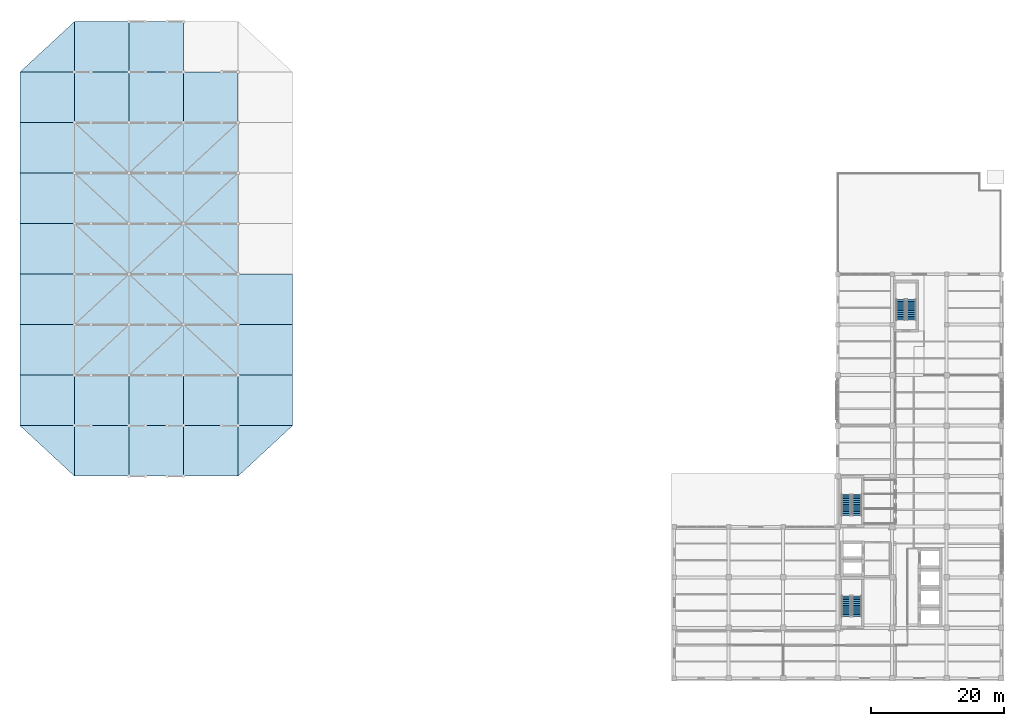
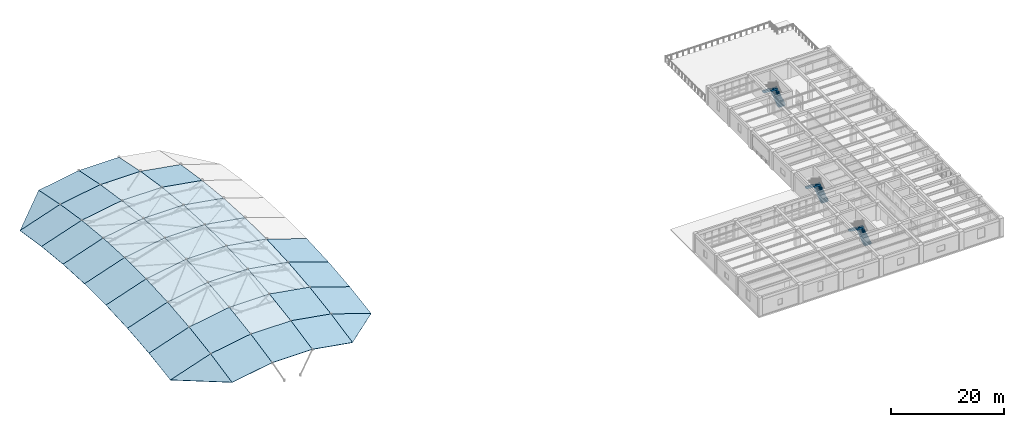
# One storey, part 14 of 22: 39 roofs, 6 stair flights, 3 elements without a shape of their own.
"""IFC4 building model written with IfcOpenShell, lengths in metres."""

from ifc_helpers import new_model, si_unit, direction, frame, origin, place, context, subcontext, project, spatial, polyline, outline, extrude, material, layer, layer_set, type_object, element, aggregate, save


model = new_model("IFC4")

# Units and contexts
model_context = context("Model", 3, precision=1e-05, world=origin(), true_north=direction((0.0, 1.0)))
body_context = subcontext(model_context, "Body", "Model", "MODEL_VIEW")
ifc_project = project(units=[si_unit("LENGTHUNIT", "METRE"), si_unit("AREAUNIT", "SQUARE_METRE"), si_unit("VOLUMEUNIT", "CUBIC_METRE"), si_unit("PLANEANGLEUNIT", "RADIAN"), si_unit("MASSUNIT", "GRAM", prefix="KILO")], contexts=[model_context])

# Site, building, storey
site_placement = place(None, origin())
site = spatial("IfcSite", under=ifc_project, at=site_placement, CompositionType="ELEMENT")
building_placement = place(site_placement, origin())
building = spatial("IfcBuilding", under=site, at=building_placement, Name="Qandaris Square Conservatory and Botanical Centre", CompositionType="ELEMENT")
storey_placement = place(building_placement, frame((0.0, 0.0, 19.800048828125)))
storey = spatial("IfcBuildingStorey", under=building, at=storey_placement, Name="L04", CompositionType="ELEMENT", Elevation=19.800048828125)

# Stair, stair flights
ifc_material_1 = material(Name="Concrete C40/50", Category="concrete")
stair_type = type_object("IfcStairType", Name="Core Escape Scissor Stair", PredefinedType="HALF_TURN_STAIR", material=ifc_material_1)
stair_1_placement = place(storey_placement, origin())
stair_1 = element("IfcStair", 1, at=stair_1_placement, inside=storey, type_object=stair_type, Name="L04 Tower South Exit Stair ST-1", PredefinedType="HALF_TURN_STAIR")
ifc_material_2 = material(Name="Precast concrete C40/50", Category="concrete")
stair_flight_type = type_object("IfcStairFlightType", Name="RC Precast Stair Flight 1400mm", PredefinedType="STRAIGHT", material=ifc_material_2)
stair_flight_1_placement = place(storey_placement, frame((142.10009765625, 25.89990234375, 0.0), z_axis=(0.0, 0.0, 1.0), x_axis=(0.0, 1.0, 0.0)))
stair_flight_1 = element("IfcStairFlight", 2, at=stair_flight_1_placement, type_object=stair_flight_type, Name="ST-1 flight 1", NumberOfRisers=12, NumberOfTreads=11, PredefinedType="STRAIGHT", RiserHeight=0.175, TreadLength=0.28, context=body_context, shape_type="SweptSolid", body=[
    extrude(outline(polyline([(-0.034912109375, 0.0), (0.0, 0.0), (0.0, 0.175048828125), (0.280029296875, 0.175048828125), (0.280029296875, 0.35009765625), (0.56005859375, 0.35009765625), (0.56005859375, 0.52490234375), (0.840087890625, 0.52490234375), (0.840087890625, 0.699951171875), (1.1201171875, 0.699951171875), (1.1201171875, 0.875), (1.39990234375, 0.875), (1.39990234375, 1.050048828125), (1.679931640625, 1.050048828125), (1.679931640625, 1.22509765625), (1.9599609375, 1.22509765625), (1.9599609375, 1.39990234375), (2.239990234375, 1.39990234375), (2.239990234375, 1.574951171875), (2.52001953125, 1.574951171875), (2.52001953125, 1.75), (2.800048828125, 1.75), (2.800048828125, 1.925048828125), (3.080078125, 1.925048828125), (3.080078125, 2.10009765625), (3.114990234375, 2.10009765625), (3.114990234375, 1.748291015625), (3.080078125, 1.748291015625), (0.5068359375, -0.139892578125), (-0.034912109375, -0.139892578125), (-0.034912109375, 0.0)])), frame((0.0, 0.699951171875, 0.0), z_axis=(0.0, -1.0, 0.0), x_axis=(1.0, 0.0, 0.0)), (0.0, 0.0, 1.0), 1.39990234375),
])
stair_flight_2_placement = place(storey_placement, frame((140.5, 28.97998046875, 2.099853515625), z_axis=(0.0, 0.0, 1.0), x_axis=(0.0, -1.0, 0.0)))
stair_flight_2 = element("IfcStairFlight", 3, at=stair_flight_2_placement, type_object=stair_flight_type, Name="ST-1 flight 2", NumberOfRisers=12, NumberOfTreads=11, PredefinedType="STRAIGHT", RiserHeight=0.175, TreadLength=0.28, context=body_context, shape_type="SweptSolid", body=[
    extrude(outline(polyline([(-0.034912109375, 0.0), (0.0, 0.0), (0.0, 0.175048828125), (0.280029296875, 0.175048828125), (0.280029296875, 0.35009765625), (0.56005859375, 0.35009765625), (0.56005859375, 0.52490234375), (0.840087890625, 0.52490234375), (0.840087890625, 0.699951171875), (1.1201171875, 0.699951171875), (1.1201171875, 0.875), (1.39990234375, 0.875), (1.39990234375, 1.050048828125), (1.679931640625, 1.050048828125), (1.679931640625, 1.22509765625), (1.9599609375, 1.22509765625), (1.9599609375, 1.39990234375), (2.239990234375, 1.39990234375), (2.239990234375, 1.574951171875), (2.52001953125, 1.574951171875), (2.52001953125, 1.75), (2.800048828125, 1.75), (2.800048828125, 1.925048828125), (3.080078125, 1.925048828125), (3.080078125, 2.10009765625), (3.114990234375, 2.10009765625), (3.114990234375, 1.748291015625), (3.080078125, 1.748291015625), (0.5068359375, -0.139892578125), (-0.034912109375, -0.139892578125), (-0.034912109375, 0.0)])), frame((0.0, 0.699951171875, 0.0), z_axis=(0.0, -1.0, 0.0), x_axis=(1.0, 0.0, 0.0)), (0.0, 0.0, 1.0), 1.39990234375),
])
aggregate(stair_1, [stair_flight_1, stair_flight_2])

stair_2_placement = place(storey_placement, origin())
stair_2 = element("IfcStair", 4, at=stair_2_placement, inside=storey, type_object=stair_type, Name="L04 Tower North Exit Stair ST-2", PredefinedType="HALF_TURN_STAIR")
stair_flight_3_placement = place(storey_placement, frame((142.10009765625, 41.10009765625, 0.0), z_axis=(0.0, 0.0, 1.0), x_axis=(0.0, 1.0, 0.0)))
stair_flight_3 = element("IfcStairFlight", 5, at=stair_flight_3_placement, type_object=stair_flight_type, Name="ST-2 flight 1", NumberOfRisers=12, NumberOfTreads=11, PredefinedType="STRAIGHT", RiserHeight=0.175, TreadLength=0.28, context=body_context, shape_type="SweptSolid", body=[
    extrude(outline(polyline([(-0.034912109375, 0.0), (0.0, 0.0), (0.0, 0.175048828125), (0.280029296875, 0.175048828125), (0.280029296875, 0.35009765625), (0.56005859375, 0.35009765625), (0.56005859375, 0.52490234375), (0.840087890625, 0.52490234375), (0.840087890625, 0.699951171875), (1.1201171875, 0.699951171875), (1.1201171875, 0.875), (1.39990234375, 0.875), (1.39990234375, 1.050048828125), (1.679931640625, 1.050048828125), (1.679931640625, 1.22509765625), (1.9599609375, 1.22509765625), (1.9599609375, 1.39990234375), (2.239990234375, 1.39990234375), (2.239990234375, 1.574951171875), (2.52001953125, 1.574951171875), (2.52001953125, 1.75), (2.800048828125, 1.75), (2.800048828125, 1.925048828125), (3.080078125, 1.925048828125), (3.080078125, 2.10009765625), (3.114990234375, 2.10009765625), (3.114990234375, 1.748291015625), (3.080078125, 1.748291015625), (0.5068359375, -0.139892578125), (-0.034912109375, -0.139892578125), (-0.034912109375, 0.0)])), frame((0.0, 0.699951171875, 0.0), z_axis=(0.0, -1.0, 0.0), x_axis=(1.0, 0.0, 0.0)), (0.0, 0.0, 1.0), 1.39990234375),
])
stair_flight_4_placement = place(storey_placement, frame((140.5, 44.179931640625, 2.099853515625), z_axis=(0.0, 0.0, 1.0), x_axis=(0.0, -1.0, 0.0)))
stair_flight_4 = element("IfcStairFlight", 6, at=stair_flight_4_placement, type_object=stair_flight_type, Name="ST-2 flight 2", NumberOfRisers=12, NumberOfTreads=11, PredefinedType="STRAIGHT", RiserHeight=0.175, TreadLength=0.28, context=body_context, shape_type="SweptSolid", body=[
    extrude(outline(polyline([(-0.034912109375, 0.0), (0.0, 0.0), (0.0, 0.175048828125), (0.280029296875, 0.175048828125), (0.280029296875, 0.35009765625), (0.56005859375, 0.35009765625), (0.56005859375, 0.52490234375), (0.840087890625, 0.52490234375), (0.840087890625, 0.699951171875), (1.1201171875, 0.699951171875), (1.1201171875, 0.875), (1.39990234375, 0.875), (1.39990234375, 1.050048828125), (1.679931640625, 1.050048828125), (1.679931640625, 1.22509765625), (1.9599609375, 1.22509765625), (1.9599609375, 1.39990234375), (2.239990234375, 1.39990234375), (2.239990234375, 1.574951171875), (2.52001953125, 1.574951171875), (2.52001953125, 1.75), (2.800048828125, 1.75), (2.800048828125, 1.925048828125), (3.080078125, 1.925048828125), (3.080078125, 2.10009765625), (3.114990234375, 2.10009765625), (3.114990234375, 1.748291015625), (3.080078125, 1.748291015625), (0.5068359375, -0.139892578125), (-0.034912109375, -0.139892578125), (-0.034912109375, 0.0)])), frame((0.0, 0.699951171875, 0.0), z_axis=(0.0, -1.0, 0.0), x_axis=(1.0, 0.0, 0.0)), (0.0, 0.0, 1.0), 1.39990234375),
])
aggregate(stair_2, [stair_flight_3, stair_flight_4])

stair_3_placement = place(storey_placement, origin())
stair_3 = element("IfcStair", 7, at=stair_3_placement, inside=storey, type_object=stair_type, Name="L04 Herbarium North Exit Stair ST-3", PredefinedType="HALF_TURN_STAIR")
stair_flight_5_placement = place(storey_placement, frame((150.300048828125, 70.5, 0.0), z_axis=(0.0, 0.0, 1.0), x_axis=(0.0, 1.0, 0.0)))
stair_flight_5 = element("IfcStairFlight", 8, at=stair_flight_5_placement, type_object=stair_flight_type, Name="ST-3 flight 1", NumberOfRisers=12, NumberOfTreads=11, PredefinedType="STRAIGHT", RiserHeight=0.175, TreadLength=0.28, context=body_context, shape_type="SweptSolid", body=[
    extrude(outline(polyline([(-0.034912109375, 0.0), (0.0, 0.0), (0.0, 0.175048828125), (0.280029296875, 0.175048828125), (0.280029296875, 0.35009765625), (0.56005859375, 0.35009765625), (0.56005859375, 0.52490234375), (0.840087890625, 0.52490234375), (0.840087890625, 0.699951171875), (1.1201171875, 0.699951171875), (1.1201171875, 0.875), (1.39990234375, 0.875), (1.39990234375, 1.050048828125), (1.679931640625, 1.050048828125), (1.679931640625, 1.22509765625), (1.9599609375, 1.22509765625), (1.9599609375, 1.39990234375), (2.239990234375, 1.39990234375), (2.239990234375, 1.574951171875), (2.52001953125, 1.574951171875), (2.52001953125, 1.75), (2.800048828125, 1.75), (2.800048828125, 1.925048828125), (3.080078125, 1.925048828125), (3.080078125, 2.10009765625), (3.114990234375, 2.10009765625), (3.114990234375, 1.748291015625), (3.080078125, 1.748291015625), (0.5068359375, -0.139892578125), (-0.034912109375, -0.139892578125), (-0.034912109375, 0.0)])), frame((0.0, 0.699951171875, 0.0), z_axis=(0.0, -1.0, 0.0), x_axis=(1.0, 0.0, 0.0)), (0.0, 0.0, 1.0), 1.39990234375),
])
stair_flight_6_placement = place(storey_placement, frame((148.699951171875, 73.580078125, 2.099853515625), z_axis=(0.0, 0.0, 1.0), x_axis=(0.0, -1.0, 0.0)))
stair_flight_6 = element("IfcStairFlight", 9, at=stair_flight_6_placement, type_object=stair_flight_type, Name="ST-3 flight 2", NumberOfRisers=12, NumberOfTreads=11, PredefinedType="STRAIGHT", RiserHeight=0.175, TreadLength=0.28, context=body_context, shape_type="SweptSolid", body=[
    extrude(outline(polyline([(-0.034912109375, 0.0), (0.0, 0.0), (0.0, 0.175048828125), (0.280029296875, 0.175048828125), (0.280029296875, 0.35009765625), (0.56005859375, 0.35009765625), (0.56005859375, 0.52490234375), (0.840087890625, 0.52490234375), (0.840087890625, 0.699951171875), (1.1201171875, 0.699951171875), (1.1201171875, 0.875), (1.39990234375, 0.875), (1.39990234375, 1.050048828125), (1.679931640625, 1.050048828125), (1.679931640625, 1.22509765625), (1.9599609375, 1.22509765625), (1.9599609375, 1.39990234375), (2.239990234375, 1.39990234375), (2.239990234375, 1.574951171875), (2.52001953125, 1.574951171875), (2.52001953125, 1.75), (2.800048828125, 1.75), (2.800048828125, 1.925048828125), (3.080078125, 1.925048828125), (3.080078125, 2.10009765625), (3.114990234375, 2.10009765625), (3.114990234375, 1.748291015625), (3.080078125, 1.748291015625), (0.5068359375, -0.139892578125), (-0.034912109375, -0.139892578125), (-0.034912109375, 0.0)])), frame((0.0, 0.699951171875, 0.0), z_axis=(0.0, -1.0, 0.0), x_axis=(1.0, 0.0, 0.0)), (0.0, 0.0, 1.0), 1.39990234375),
])
aggregate(stair_3, [stair_flight_5, stair_flight_6])

# Roofs
ifc_material_3 = material(Name="Steel S355", Category="steel")
ifc_layer = layer(ifc_material_3, 0.090087890625)
ifc_layer_set = layer_set([ifc_layer], Name="Steel S355")
roof_type = type_object("IfcRoofType", Name="Conservatory Dome Shell Roof", PredefinedType="DOME_ROOF", material=ifc_layer_set)
roof_1_placement = place(storey_placement, frame((24.39990234375, 47.0, -1.365966796875), z_axis=(-0.315575856296, -0.190829519224, 0.929513837184), x_axis=(0.0, 0.979569493005, 0.201105963051)))
element("IfcRoof", 10, at=roof_1_placement, inside=storey, type_object=roof_type, Name="Conservatory Dome Shell Roof 1.1", PredefinedType="DOME_ROOF", context=body_context, shape_type="SweptSolid", body=[
    extrude(outline(polyline([(0.0, 0.0), (7.758609991966012, 5.551115123125783e-17), (7.198743952738525, 8.641530325608313), (0.0, 0.0)])), origin(), (0.0, 0.0, -1.0), 0.090087890625),
])
roof_2_placement = place(storey_placement, frame((16.199951171875, 54.60009765625, -2.589599609375), z_axis=(-0.318118920658, -0.144302697789, 0.937004313614), x_axis=(0.946915112704, 0.0, 0.321483699948)))
element("IfcRoof", 11, at=roof_2_placement, inside=storey, type_object=roof_type, Name="Conservatory Dome Shell Roof 1.2", PredefinedType="DOME_ROOF", context=body_context, shape_type="SweptSolid", body=[
    extrude(outline(polyline([(0.0, 0.0), (8.659647588111678, 5.551115123125783e-17), (9.035915375600062, 7.680238013558527), (0.37626778748838363, 7.680238013558527), (0.0, 0.0)])), origin(), (0.0, 0.0, -1.0), 0.090087890625),
])
roof_3_placement = place(storey_placement, frame((16.199951171875, 62.199951171875, -1.419189453125), z_axis=(-0.319975214143, -0.096760048706, 0.942471938738), x_axis=(0.946915112704, 0.0, 0.321483699948)))
element("IfcRoof", 12, at=roof_3_placement, inside=storey, type_object=roof_type, Name="Conservatory Dome Shell Roof 1.3", PredefinedType="DOME_ROOF", context=body_context, shape_type="SweptSolid", body=[
    extrude(outline(polyline([(0.0, 0.0), (8.659647588111678, 0.0), (8.9104927797706, 7.635927429698793), (0.2508451916589224, 7.635927429698793), (0.0, 0.0)])), origin(), (0.0, 0.0, -1.0), 0.090087890625),
])
roof_4_placement = place(storey_placement, frame((16.199951171875, 69.800048828125, -0.638916015625), z_axis=(-0.321104554841, -0.048552339526, 0.94579835863), x_axis=(0.946915112704, 0.0, 0.321483699948)))
element("IfcRoof", 13, at=roof_4_placement, inside=storey, type_object=roof_type, Name="Conservatory Dome Shell Roof 1.4", PredefinedType="DOME_ROOF", context=body_context, shape_type="SweptSolid", body=[
    extrude(outline(polyline([(0.0, 0.0), (8.659647588111678, 2.7755575615628914e-17), (8.78507018394114, 7.608827064057253), (0.12542259582946122, 7.608827064057253), (0.0, 0.0)])), origin(), (0.0, 0.0, -1.0), 0.090087890625),
])
roof_5_placement = place(storey_placement, frame((16.199951171875, 77.39990234375, -0.248779296875), z_axis=(-0.321483699948, 0.0, 0.946915112704), x_axis=(0.946915112704, 0.0, 0.321483699948)))
element("IfcRoof", 14, at=roof_5_placement, inside=storey, type_object=roof_type, Name="Conservatory Dome Shell Roof 1.5", PredefinedType="DOME_ROOF", context=body_context, shape_type="SweptSolid", body=[
    extrude(outline(polyline([(0.0, 0.0), (8.659647588111678, 0.0), (8.659647588111678, 7.600097656249999), (0.0, 7.600097656249999), (0.0, 0.0)])), origin(), (0.0, 0.0, -1.0), 0.090087890625),
])
roof_6_placement = place(storey_placement, frame((16.199951171875, 85.0, -0.248779296875), z_axis=(-0.321104579157, 0.048550783538, 0.94579843025), x_axis=(0.946915112704, 0.0, 0.321483699948)))
element("IfcRoof", 15, at=roof_6_placement, inside=storey, type_object=roof_type, Name="Conservatory Dome Shell Roof 1.6", PredefinedType="DOME_ROOF", context=body_context, shape_type="SweptSolid", body=[
    extrude(outline(polyline([(0.0, 0.0), (8.659647588111678, 0.0), (8.534224992282217, 7.609070916761727), (-0.1254225958294612, 7.609070916761727), (0.0, 0.0)])), origin(), (0.0, 0.0, -1.0), 0.090087890625),
])
roof_7_placement = place(storey_placement, frame((16.199951171875, 92.60009765625, -0.638916015625), z_axis=(-0.319975117904, 0.096763127959, 0.942471655271), x_axis=(0.946915112704, 0.0, 0.321483699948)))
element("IfcRoof", 16, at=roof_7_placement, inside=storey, type_object=roof_type, Name="Conservatory Dome Shell Roof 1.7", PredefinedType="DOME_ROOF", context=body_context, shape_type="SweptSolid", body=[
    extrude(outline(polyline([(0.0, 0.0), (8.659647588111678, 0.0), (8.408802396452755, 7.635684434682155), (-0.2508451916589224, 7.635684434682155), (0.0, 0.0)])), origin(), (0.0, 0.0, -1.0), 0.090087890625),
])
roof_8_placement = place(storey_placement, frame((16.199951171875, 100.199951171875, -1.419189453125), z_axis=(-0.318119133449, 0.144298158823, 0.937004940379), x_axis=(0.946915112704, 0.0, 0.321483699948)))
element("IfcRoof", 17, at=roof_8_placement, inside=storey, type_object=roof_type, Name="Conservatory Dome Shell Roof 1.8", PredefinedType="DOME_ROOF", context=body_context, shape_type="SweptSolid", body=[
    extrude(outline(polyline([(0.0, 0.0), (8.659647588111678, 1.1102230246251565e-16), (8.283379800623294, 7.6804795989891455), (-0.37626778748838363, 7.680479598989146), (0.0, 0.0)])), origin(), (0.0, 0.0, -1.0), 0.090087890625),
])
roof_9_placement = place(storey_placement, frame((16.199951171875, 107.800048828125, -2.589599609375), z_axis=(-0.315575487118, 0.190835426255, 0.929512749787), x_axis=(0.946915112704, 0.0, 0.321483699948)))
element("IfcRoof", 18, at=roof_9_placement, inside=storey, type_object=roof_type, Name="Conservatory Dome Shell Roof 1.9", PredefinedType="DOME_ROOF", context=body_context, shape_type="SweptSolid", body=[
    extrude(outline(polyline([(0.0, 0.0), (8.659647588111678, 1.1102230246251565e-16), (8.158035692025265, 7.742138179311989), (0.0, 0.0)])), origin(), (0.0, 0.0, -1.0), 0.090087890625),
])
roof_10_placement = place(storey_placement, frame((24.39990234375, 47.0, -1.365966796875), z_axis=(-0.164027430698, -0.198397031903, 0.966298928754), x_axis=(0.985896941675, -2.813618e-06, 0.16735357895)))
element("IfcRoof", 19, at=roof_10_placement, inside=storey, type_object=roof_type, Name="Conservatory Dome Shell Roof 2.1", PredefinedType="DOME_ROOF", context=body_context, shape_type="SweptSolid", body=[
    extrude(outline(polyline([(0.0, 0.0), (8.317477839498029, 0.0), (8.578619560380412, 7.754263080480946), (0.26110086307502345, 7.754215326699574), (0.0, 0.0)])), origin(), (0.0, 0.0, -1.0), 0.090087890625),
])
roof_11_placement = place(storey_placement, frame((24.39990234375, 54.60009765625, 0.1943359375), z_axis=(-0.16547196444, -0.150111586356, 0.974723314908), x_axis=(0.985894424764, 0.0, 0.167368405681)))
element("IfcRoof", 20, at=roof_11_placement, inside=storey, type_object=roof_type, Name="Conservatory Dome Shell Roof 2.2", PredefinedType="DOME_ROOF", context=body_context, shape_type="SweptSolid", body=[
    extrude(outline(polyline([(0.0, 0.0), (8.317518698278885, -2.7755575615628914e-17), (8.513408380122897, 7.686953923717631), (0.1958896818440125, 7.686953923717632), (0.0, 0.0)])), origin(), (0.0, 0.0, -1.0), 0.090087890625),
])
roof_12_placement = place(storey_placement, frame((24.39990234375, 62.199951171875, 1.36474609375), z_axis=(-0.166517584817, -0.100703527776, 0.980882609408), x_axis=(0.985894424764, 0.0, 0.167368405681)))
element("IfcRoof", 21, at=roof_12_placement, inside=storey, type_object=roof_type, Name="Conservatory Dome Shell Roof 2.3", PredefinedType="DOME_ROOF", context=body_context, shape_type="SweptSolid", body=[
    extrude(outline(polyline([(0.0, 0.0), (8.317518698278885, 0.0), (8.448111819508226, 7.63893032161522), (0.13059312122934166, 7.638930321615219), (0.0, 0.0)])), origin(), (0.0, 0.0, -1.0), 0.090087890625),
])
roof_13_placement = place(storey_placement, frame((24.39990234375, 69.800048828125, 2.14501953125), z_axis=(-0.167154464603, -0.050545967979, 0.984634190999), x_axis=(0.985894424764, 0.0, 0.167368405681)))
element("IfcRoof", 22, at=roof_13_placement, inside=storey, type_object=roof_type, Name="Conservatory Dome Shell Roof 2.4", PredefinedType="DOME_ROOF", context=body_context, shape_type="SweptSolid", body=[
    extrude(outline(polyline([(0.0, 0.0), (8.317518698278885, 0.0), (8.382815258893556, 7.609580571716592), (0.06529656061467083, 7.609580571716592), (0.0, 0.0)])), origin(), (0.0, 0.0, -1.0), 0.090087890625),
])
roof_14_placement = place(storey_placement, frame((24.39990234375, 77.39990234375, 2.53515625), z_axis=(-0.167368405681, 0.0, 0.985894424764), x_axis=(0.985894424764, 0.0, 0.167368405681)))
element("IfcRoof", 23, at=roof_14_placement, inside=storey, type_object=roof_type, Name="Conservatory Dome Shell Roof 2.5", PredefinedType="DOME_ROOF", context=body_context, shape_type="SweptSolid", body=[
    extrude(outline(polyline([(0.0, 0.0), (8.317518698278885, 0.0), (8.317518698278885, 7.60009765625), (0.0, 7.60009765625), (0.0, 0.0)])), origin(), (0.0, 0.0, -1.0), 0.090087890625),
])
roof_15_placement = place(storey_placement, frame((24.39990234375, 85.0, 2.53515625), z_axis=(-0.167154478321, 0.050544348421, 0.984634271808), x_axis=(0.985894424764, 0.0, 0.167368405681)))
element("IfcRoof", 24, at=roof_15_placement, inside=storey, type_object=roof_type, Name="Conservatory Dome Shell Roof 2.6", PredefinedType="DOME_ROOF", context=body_context, shape_type="SweptSolid", body=[
    extrude(outline(polyline([(0.0, 0.0), (8.317518698278885, 0.0), (8.252222137664214, 7.609824400275321), (-0.06529656061467083, 7.609824400275321), (0.0, 0.0)])), origin(), (0.0, 0.0, -1.0), 0.090087890625),
])
roof_16_placement = place(storey_placement, frame((24.39990234375, 92.60009765625, 2.14501953125), z_axis=(-0.166517530568, 0.100706730006, 0.980882289852), x_axis=(0.985894424764, 0.0, 0.167368405681)))
element("IfcRoof", 25, at=roof_16_placement, inside=storey, type_object=roof_type, Name="Conservatory Dome Shell Roof 2.7", PredefinedType="DOME_ROOF", context=body_context, shape_type="SweptSolid", body=[
    extrude(outline(polyline([(0.0, 0.0), (8.317518698278885, 2.7755575615628914e-17), (8.186925577049543, 7.638687422123864), (-0.1305931212293417, 7.638687422123864), (0.0, 0.0)])), origin(), (0.0, 0.0, -1.0), 0.090087890625),
])
roof_17_placement = place(storey_placement, frame((24.39990234375, 100.199951171875, 1.36474609375), z_axis=(-0.165472084215, 0.150106872922, 0.974724020453), x_axis=(0.985894424764, 0.0, 0.167368405681)))
element("IfcRoof", 26, at=roof_17_placement, inside=storey, type_object=roof_type, Name="Conservatory Dome Shell Roof 2.8", PredefinedType="DOME_ROOF", context=body_context, shape_type="SweptSolid", body=[
    extrude(outline(polyline([(0.0, 0.0), (8.317518698278885, 0.0), (8.121629016434872, 7.687195298087396), (-0.1958896818440125, 7.687195298087395), (0.0, 0.0)])), origin(), (0.0, 0.0, -1.0), 0.090087890625),
])
roof_18_placement = place(storey_placement, frame((24.39990234375, 107.800048828125, 0.1943359375), z_axis=(-0.164027223289, 0.198403154409, 0.96629770689), x_axis=(0.985896751042, -2.813687e-06, 0.167354701987)))
element("IfcRoof", 27, at=roof_18_placement, inside=storey, type_object=roof_type, Name="Conservatory Dome Shell Roof 2.9", PredefinedType="DOME_ROOF", context=body_context, shape_type="SweptSolid", body=[
    extrude(outline(polyline([(0.0, 0.0), (8.317518697442477, 0.0), (8.056332456630344, 7.754022294379009), (-0.2611453827305922, 7.753974539358548), (0.0, 0.0)])), origin(), (0.0, 0.0, -1.0), 0.090087890625),
])
roof_19_placement = place(storey_placement, frame((32.60009765625, 47.0, 0.02587890625), z_axis=(0.0, -0.201136157181, 0.979563293654), x_axis=(1.0, 0.0, 0.0)))
element("IfcRoof", 28, at=roof_19_placement, inside=storey, type_object=roof_type, Name="Conservatory Dome Shell Roof 3.1", PredefinedType="DOME_ROOF", context=body_context, shape_type="SweptSolid", body=[
    extrude(outline(polyline([(0.0, 0.0), (8.199951171875, 0.0), (8.199951171875, 7.758659093787341), (0.0, 7.758659093787341), (0.0, 0.0)])), origin(), (0.0, 0.0, -1.0), 0.090087890625),
])
roof_20_placement = place(storey_placement, frame((32.60009765625, 54.60009765625, 1.58642578125), z_axis=(0.0, -0.152209876459, 0.988348194468), x_axis=(1.0, 0.0, 0.0)))
element("IfcRoof", 29, at=roof_20_placement, inside=storey, type_object=roof_type, Name="Conservatory Dome Shell Roof 3.2", PredefinedType="DOME_ROOF", context=body_context, shape_type="SweptSolid", body=[
    extrude(outline(polyline([(0.0, 0.0), (8.199951171875, 0.0), (8.199951171875, 7.689449485679116), (0.0, 7.689449485679116), (0.0, 0.0)])), origin(), (0.0, 0.0, -1.0), 0.090087890625),
])
roof_21_placement = place(storey_placement, frame((32.60009765625, 62.199951171875, 2.7568359375), z_axis=(0.0, -0.10212940905, 0.994771121317), x_axis=(1.0, 0.0, 0.0)))
element("IfcRoof", 30, at=roof_21_placement, inside=storey, type_object=roof_type, Name="Conservatory Dome Shell Roof 3.3", PredefinedType="DOME_ROOF", context=body_context, shape_type="SweptSolid", body=[
    extrude(outline(polyline([(0.0, 0.0), (8.199951171875, 0.0), (8.199951171875, 7.640046532698921), (0.0, 7.640046532698921), (0.0, 0.0)])), origin(), (0.0, 0.0, -1.0), 0.090087890625),
])
roof_22_placement = place(storey_placement, frame((32.60009765625, 69.800048828125, 3.537109375), z_axis=(0.0, -0.051267261426, 0.9986849693), x_axis=(1.0, 0.0, 0.0)))
element("IfcRoof", 31, at=roof_22_placement, inside=storey, type_object=roof_type, Name="Conservatory Dome Shell Roof 3.4", PredefinedType="DOME_ROOF", context=body_context, shape_type="SweptSolid", body=[
    extrude(outline(polyline([(0.0, 0.0), (8.199951171875, 0.0), (8.199951171875, 7.609860716089007), (0.0, 7.609860716089007), (0.0, 0.0)])), origin(), (0.0, 0.0, -1.0), 0.090087890625),
])
roof_23_placement = place(storey_placement, frame((32.60009765625, 77.39990234375, 3.92724609375), z_axis=(0.0, 0.0, 1.0), x_axis=(1.0, 0.0, 0.0)))
element("IfcRoof", 32, at=roof_23_placement, inside=storey, type_object=roof_type, Name="Conservatory Dome Shell Roof 3.5", PredefinedType="DOME_ROOF", context=body_context, shape_type="SweptSolid", body=[
    extrude(outline(polyline([(0.0, 0.0), (8.199951171875, 0.0), (8.199951171875, 7.60009765625), (0.0, 7.60009765625), (0.0, 0.0)])), origin(), (0.0, 0.0, -1.0), 0.090087890625),
])
roof_24_placement = place(storey_placement, frame((32.60009765625, 85.0, 3.92724609375), z_axis=(0.0, 0.051265618878, 0.998685053619), x_axis=(1.0, 0.0, 0.0)))
element("IfcRoof", 33, at=roof_24_placement, inside=storey, type_object=roof_type, Name="Conservatory Dome Shell Roof 3.6", PredefinedType="DOME_ROOF", context=body_context, shape_type="SweptSolid", body=[
    extrude(outline(polyline([(0.0, 0.0), (8.199951171875, 0.0), (8.199951171875, 7.610104535671883), (0.0, 7.610104535671883), (0.0, 0.0)])), origin(), (0.0, 0.0, -1.0), 0.090087890625),
])
roof_25_placement = place(storey_placement, frame((32.60009765625, 92.60009765625, 3.537109375), z_axis=(0.0, 0.102132655672, 0.994770787994), x_axis=(1.0, 0.0, 0.0)))
element("IfcRoof", 34, at=roof_25_placement, inside=storey, type_object=roof_type, Name="Conservatory Dome Shell Roof 3.7", PredefinedType="DOME_ROOF", context=body_context, shape_type="SweptSolid", body=[
    extrude(outline(polyline([(0.0, 0.0), (8.199951171875, 0.0), (8.199951171875, 7.639803668696319), (0.0, 7.639803668696319), (0.0, 0.0)])), origin(), (0.0, 0.0, -1.0), 0.090087890625),
])
roof_26_placement = place(storey_placement, frame((32.60009765625, 100.199951171875, 2.7568359375), z_axis=(0.0, 0.152205100241, 0.988348930014), x_axis=(1.0, 0.0, 0.0)))
element("IfcRoof", 35, at=roof_26_placement, inside=storey, type_object=roof_type, Name="Conservatory Dome Shell Roof 3.8", PredefinedType="DOME_ROOF", context=body_context, shape_type="SweptSolid", body=[
    extrude(outline(polyline([(0.0, 0.0), (8.199951171875, 0.0), (8.199951171875, 7.689690781714821), (0.0, 7.689690781714821), (0.0, 0.0)])), origin(), (0.0, 0.0, -1.0), 0.090087890625),
])
roof_27_placement = place(storey_placement, frame((32.60009765625, 107.800048828125, 1.58642578125), z_axis=(0.0, 0.201142357144, 0.97956202058), x_axis=(1.0, 0.0, 0.0)))
element("IfcRoof", 36, at=roof_27_placement, inside=storey, type_object=roof_type, Name="Conservatory Dome Shell Roof 3.9", PredefinedType="DOME_ROOF", context=body_context, shape_type="SweptSolid", body=[
    extrude(outline(polyline([(0.0, 0.0), (8.199951171875, 0.0), (8.199951171875, 7.758419942748004), (0.0, 7.758419942748004), (0.0, 0.0)])), origin(), (0.0, 0.0, -1.0), 0.090087890625),
])
roof_28_placement = place(storey_placement, frame((40.800048828125, 47.0, 0.02587890625), z_axis=(0.164032182956, -0.198396872974, 0.966298154686), x_axis=(0.985896119553, 2.813695e-06, -0.167358422083)))
element("IfcRoof", 37, at=roof_28_placement, inside=storey, type_object=roof_type, Name="Conservatory Dome Shell Roof 4.1", PredefinedType="DOME_ROOF", context=body_context, shape_type="SweptSolid", body=[
    extrude(outline(polyline([(0.0, 0.0), (8.317237141534923, -5.551115123125783e-17), (8.056128722291323, 7.7542150722636825), (-0.26114927823336603, 7.754262825966986), (0.0, 0.0)])), origin(), (0.0, 0.0, -1.0), 0.090087890625),
])
roof_29_placement = place(storey_placement, frame((40.800048828125, 54.60009765625, 1.58642578125), z_axis=(0.165476756204, -0.150111463979, 0.974722520279), x_axis=(0.985893602498, 0.0, -0.167373249217)))
element("IfcRoof", 38, at=roof_29_placement, inside=storey, type_object=roof_type, Name="Conservatory Dome Shell Roof 4.2", PredefinedType="DOME_ROOF", context=body_context, shape_type="SweptSolid", body=[
    extrude(outline(polyline([(0.0, 0.0), (8.317278001498211, 2.7755575615628914e-17), (8.12138265073033, 7.686953779252114), (-0.1958953507678814, 7.686953779252114), (0.0, 0.0)])), origin(), (0.0, 0.0, -1.0), 0.090087890625),
])
roof_30_placement = place(storey_placement, frame((40.800048828125, 62.199951171875, 2.7568359375), z_axis=(0.16652240514, -0.100703444638, 0.980881799619), x_axis=(0.985893602498, 0.0, -0.167373249217)))
element("IfcRoof", 39, at=roof_30_placement, inside=storey, type_object=roof_type, Name="Conservatory Dome Shell Roof 4.3", PredefinedType="DOME_ROOF", context=body_context, shape_type="SweptSolid", body=[
    extrude(outline(polyline([(0.0, 0.0), (8.317278001498211, 0.0), (8.186681100986291, 7.638930257004674), (-0.13059690051192094, 7.638930257004674), (0.0, 0.0)])), origin(), (0.0, 0.0, -1.0), 0.090087890625),
])
roof_31_placement = place(storey_placement, frame((40.800048828125, 69.800048828125, 3.537109375), z_axis=(0.167159302304, -0.05054592593, 0.984633371883), x_axis=(0.985893602498, 0.0, -0.167373249217)))
element("IfcRoof", 40, at=roof_31_placement, inside=storey, type_object=roof_type, Name="Conservatory Dome Shell Roof 4.4", PredefinedType="DOME_ROOF", context=body_context, shape_type="SweptSolid", body=[
    extrude(outline(polyline([(0.0, 0.0), (8.317278001498211, 0.0), (8.25197955124225, 7.609580555501654), (-0.06529845025596047, 7.609580555501655), (0.0, 0.0)])), origin(), (0.0, 0.0, -1.0), 0.090087890625),
])
roof_32_placement = place(storey_placement, frame((40.800048828125, 77.39990234375, 3.92724609375), z_axis=(0.167373249217, 0.0, 0.985893602498), x_axis=(0.985893602498, 0.0, -0.167373249217)))
element("IfcRoof", 41, at=roof_32_placement, inside=storey, type_object=roof_type, Name="Conservatory Dome Shell Roof 4.5", PredefinedType="DOME_ROOF", context=body_context, shape_type="SweptSolid", body=[
    extrude(outline(polyline([(0.0, 0.0), (8.317278001498211, 0.0), (8.317278001498211, 7.60009765625), (0.0, 7.60009765625), (0.0, 0.0)])), origin(), (0.0, 0.0, -1.0), 0.090087890625),
])
roof_33_placement = place(storey_placement, frame((40.800048828125, 85.0, 3.92724609375), z_axis=(0.167159316023, 0.050544306373, 0.984633452692), x_axis=(0.985893602498, 0.0, -0.167373249217)))
element("IfcRoof", 42, at=roof_33_placement, inside=storey, type_object=roof_type, Name="Conservatory Dome Shell Roof 4.6", PredefinedType="DOME_ROOF", context=body_context, shape_type="SweptSolid", body=[
    extrude(outline(polyline([(0.0, 0.0), (8.317278001498211, 1.3877787807814457e-17), (8.382576451754172, 7.609824384060904), (0.06529845025596047, 7.609824384060905), (0.0, 0.0)])), origin(), (0.0, 0.0, -1.0), 0.090087890625),
])
roof_34_placement = place(storey_placement, frame((40.800048828125, 92.60009765625, 3.537109375), z_axis=(0.166522350889, 0.100706646866, 0.980881480063), x_axis=(0.985893602498, 0.0, -0.167373249217)))
element("IfcRoof", 43, at=roof_34_placement, inside=storey, type_object=roof_type, Name="Conservatory Dome Shell Roof 4.7", PredefinedType="DOME_ROOF", context=body_context, shape_type="SweptSolid", body=[
    extrude(outline(polyline([(0.0, 0.0), (8.317278001498211, 0.0), (8.447874902010133, 7.638687357511263), (0.13059690051192094, 7.638687357511263), (0.0, 0.0)])), origin(), (0.0, 0.0, -1.0), 0.090087890625),
])
roof_35_placement = place(storey_placement, frame((40.800048828125, 100.199951171875, 2.7568359375), z_axis=(0.165476875983, 0.150106750549, 0.974723225821), x_axis=(0.985893602498, 0.0, -0.167373249217)))
element("IfcRoof", 44, at=roof_35_placement, inside=storey, type_object=roof_type, Name="Conservatory Dome Shell Roof 4.8", PredefinedType="DOME_ROOF", context=body_context, shape_type="SweptSolid", body=[
    extrude(outline(polyline([(0.0, 0.0), (8.317278001498211, 2.7755575615628914e-17), (8.513173352266094, 7.687195153626413), (0.1958953507678814, 7.687195153626413), (0.0, 0.0)])), origin(), (0.0, 0.0, -1.0), 0.090087890625),
])
roof_36_placement = place(storey_placement, frame((49.0, 47.0, -1.365966796875), z_axis=(0.315575856296, -0.190829519224, 0.929513837184), x_axis=(0.729070462989, 0.675736550238, -0.108795104073)))
element("IfcRoof", 45, at=roof_36_placement, inside=storey, type_object=roof_type, Name="Conservatory Dome Shell Roof 5.1", PredefinedType="DOME_ROOF", context=body_context, shape_type="SweptSolid", body=[
    extrude(outline(polyline([(0.0, 0.0), (11.247131228250945, 1.1102230246251565e-16), (4.965910473333001, 5.961187983806287), (0.0, 0.0)])), origin(), (0.0, 0.0, -1.0), 0.090087890625),
])
roof_37_placement = place(storey_placement, frame((49.0, 54.60009765625, 0.1943359375), z_axis=(0.318118920658, -0.144302697789, 0.937004313614), x_axis=(0.946915112704, 0.0, -0.321483699948)))
element("IfcRoof", 46, at=roof_37_placement, inside=storey, type_object=roof_type, Name="Conservatory Dome Shell Roof 5.2", PredefinedType="DOME_ROOF", context=body_context, shape_type="SweptSolid", body=[
    extrude(outline(polyline([(0.0, 0.0), (8.659647588111678, -5.551115123125783e-17), (8.283379800623294, 7.680238013558526), (-0.37626778748838363, 7.680238013558527), (0.0, 0.0)])), origin(), (0.0, 0.0, -1.0), 0.090087890625),
])
roof_38_placement = place(storey_placement, frame((49.0, 62.199951171875, 1.36474609375), z_axis=(0.319975214143, -0.096760048706, 0.942471938738), x_axis=(0.946915112704, 0.0, -0.321483699948)))
element("IfcRoof", 47, at=roof_38_placement, inside=storey, type_object=roof_type, Name="Conservatory Dome Shell Roof 5.3", PredefinedType="DOME_ROOF", context=body_context, shape_type="SweptSolid", body=[
    extrude(outline(polyline([(0.0, 0.0), (8.659647588111678, 0.0), (8.408802396452755, 7.635927429698793), (-0.2508451916589224, 7.635927429698793), (0.0, 0.0)])), origin(), (0.0, 0.0, -1.0), 0.090087890625),
])
roof_39_placement = place(storey_placement, frame((49.0, 69.800048828125, 2.14501953125), z_axis=(0.321104554841, -0.048552339526, 0.94579835863), x_axis=(0.946915112704, 0.0, -0.321483699948)))
element("IfcRoof", 48, at=roof_39_placement, inside=storey, type_object=roof_type, Name="Conservatory Dome Shell Roof 5.4", PredefinedType="DOME_ROOF", context=body_context, shape_type="SweptSolid", body=[
    extrude(outline(polyline([(0.0, 0.0), (8.659647588111678, -2.7755575615628914e-17), (8.534224992282217, 7.608827064057253), (-0.12542259582946122, 7.608827064057253), (0.0, 0.0)])), origin(), (0.0, 0.0, -1.0), 0.090087890625),
])

save(model, "model.ifc")
